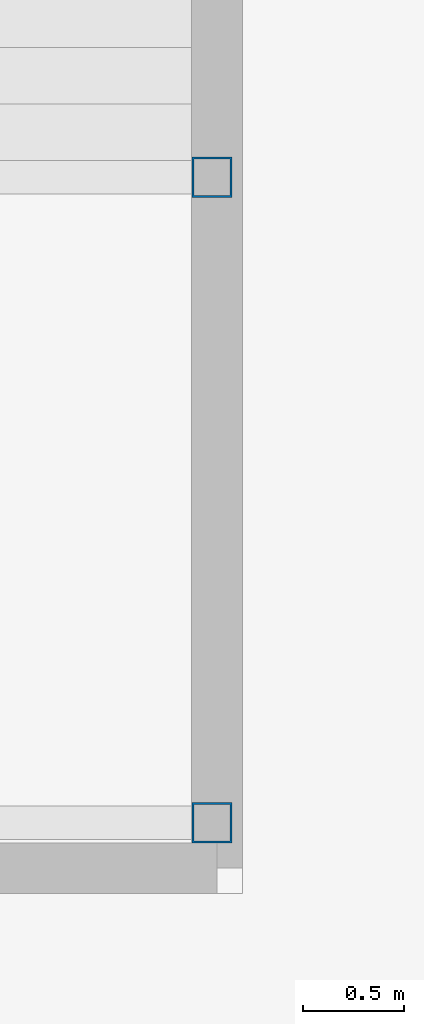
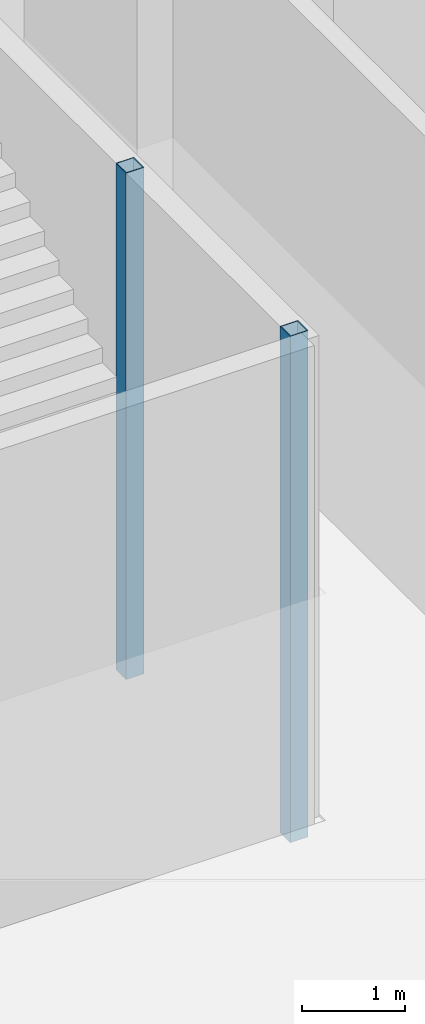
# One storey, part 2 of 32: 2 columns.
"""IFC4 building model written with IfcOpenShell, lengths in metres."""

from ifc_helpers import new_model, si_unit, direction, frame, origin, origin_2d, place, context, subcontext, project, spatial, hollow_rectangle, extrude, material, material_profile, profile_set, type_object, element, save


model = new_model("IFC4")

# Units and contexts
model_context = context("Model", 3, precision=1e-05, world=origin(), true_north=direction((0.0, 1.0)))
body_context = subcontext(model_context, "Body", "Model", "MODEL_VIEW")
ifc_project = project(units=[si_unit("LENGTHUNIT", "METRE"), si_unit("AREAUNIT", "SQUARE_METRE"), si_unit("VOLUMEUNIT", "CUBIC_METRE"), si_unit("PLANEANGLEUNIT", "RADIAN"), si_unit("MASSUNIT", "GRAM", prefix="KILO")], contexts=[model_context])

# Site, building, storey
site_placement = place(None, origin())
site = spatial("IfcSite", under=ifc_project, at=site_placement, CompositionType="ELEMENT")
building_placement = place(site_placement, origin())
building = spatial("IfcBuilding", under=site, at=building_placement, Name="Dunama Terrace Hotel", CompositionType="ELEMENT")
storey_placement = place(building_placement, frame((0.0, 0.0, 6.0)))
storey = spatial("IfcBuildingStorey", under=building, at=storey_placement, Name="L01", CompositionType="ELEMENT", Elevation=6.0)

# Columns
ifc_material = material(Name="Steel S355", Category="steel")
ifc_material_profile = material_profile(ifc_material, hollow_rectangle(XDim=0.199951171875, YDim=0.199951171875, WallThickness=0.010009765625, at=origin_2d()), Name="SHS 200x200x10")
ifc_profile_set = profile_set([ifc_material_profile], Name="Steel S355")
column_type = type_object("IfcColumnType", Name="Stair post SHS 200x200x10", PredefinedType="COLUMN", material=ifc_profile_set)
for number, where, z_axis, x_axis, name in (
    (1, (-2.824951171875, 3.41259765625, -0.300048828125), (0.0, 0.0, 1.0), (1.0, 0.0, 0.0), "Stair post P4 L01 -2.83/+3.41"),
    (2, (-2.824951171875, 0.22509765625, -0.300048828125), (0.0, 0.0, 1.0), (1.0, 0.0, 0.0), "Stair post P4 L01 -2.83/+0.23"),
):
    element("IfcColumn", number, at=place(storey_placement, frame(where, z_axis=z_axis, x_axis=x_axis)), inside=storey, type_object=column_type, Name=name, PredefinedType="COLUMN", context=body_context, shape_type="SweptSolid", body=[
        extrude(hollow_rectangle(XDim=0.199951171875, YDim=0.199951171875, WallThickness=0.010009765625, at=origin_2d()), origin(), (0.0, 0.0, 1.0), 6.0),
    ])

save(model, "model.ifc")
